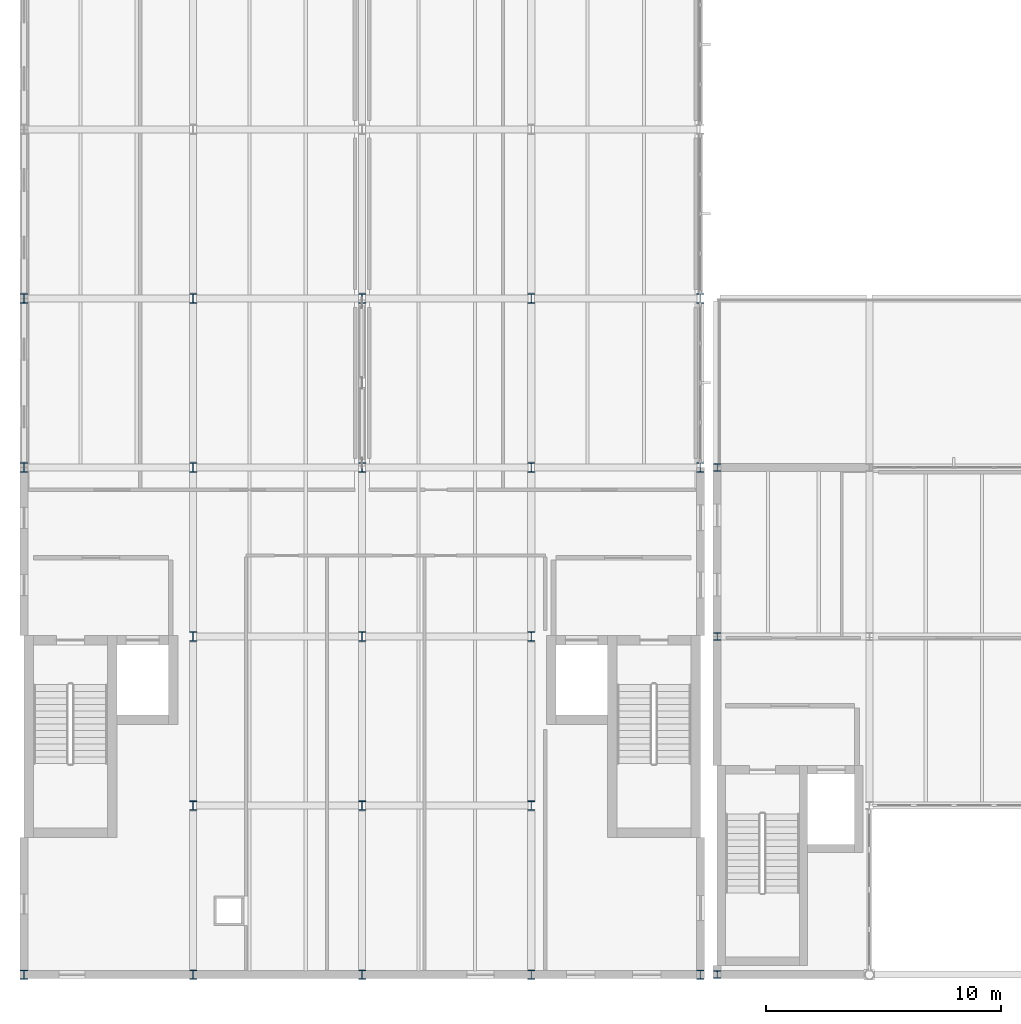
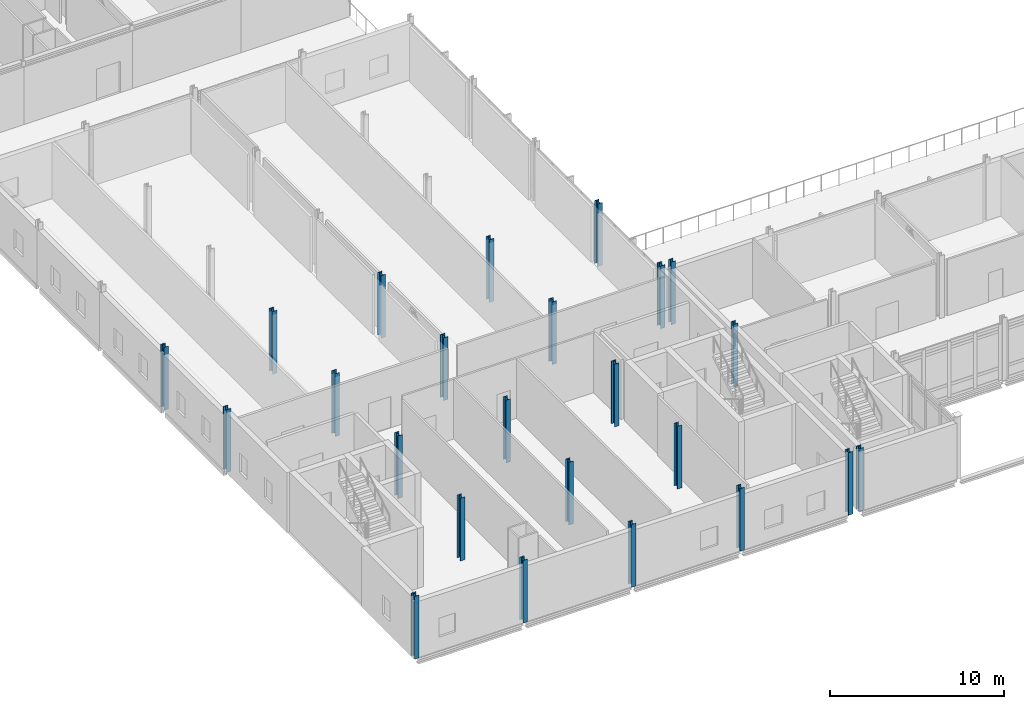
# One storey, part 1 of 53: 24 columns.
"""IFC4 building model written with IfcOpenShell, lengths in metres."""

from ifc_helpers import new_model, si_unit, direction, frame, origin, origin_2d, place, context, subcontext, project, spatial, i_section, extrude, material, material_profile, profile_set, type_object, element, save


model = new_model("IFC4")

# Units and contexts
model_context = context("Model", 3, precision=1e-05, world=origin(), true_north=direction((0.0, 1.0)))
body_context = subcontext(model_context, "Body", "Model", "MODEL_VIEW")
ifc_project = project(units=[si_unit("LENGTHUNIT", "METRE"), si_unit("AREAUNIT", "SQUARE_METRE"), si_unit("VOLUMEUNIT", "CUBIC_METRE"), si_unit("PLANEANGLEUNIT", "RADIAN"), si_unit("MASSUNIT", "GRAM", prefix="KILO")], contexts=[model_context])

# Site, building, storey
site_placement = place(None, origin())
site = spatial("IfcSite", under=ifc_project, at=site_placement, CompositionType="ELEMENT")
building_placement = place(site_placement, origin())
building = spatial("IfcBuilding", under=site, at=building_placement, Name="Zarrinpeak Specialist Clinic", CompositionType="ELEMENT")
storey_placement = place(building_placement, frame((0.0, 0.0, 14.0)))
storey = spatial("IfcBuildingStorey", under=building, at=storey_placement, Name="L03", CompositionType="ELEMENT", Elevation=14.0)

# Columns
ifc_material = material(Name="Steel S355", Category="steel")
ifc_material_profile_1 = material_profile(ifc_material, i_section(OverallWidth=0.300048828125, OverallDepth=0.320068359375, WebThickness=0.011474609375, FlangeThickness=0.0205078125, FilletRadius=0.027099609375, at=origin_2d()), Name="HEB 320")
ifc_profile_set_1 = profile_set([ifc_material_profile_1], Name="Steel S355")
column_type_1 = type_object("IfcColumnType", Name="COL-HEB320", PredefinedType="COLUMN", material=ifc_profile_set_1)
for number, where, z_axis, x_axis, name in (
    (1, (29.52001953125, 0.0, 0.0), (0.0, 0.0, 1.0), (1.0, 0.0, 0.0), "L03 Structural Column COL-L03-060"),
    (2, (29.52001953125, 14.39990234375, 0.0), (0.0, 0.0, 1.0), (1.0, 0.0, 0.0), "L03 Structural Column COL-L03-061"),
    (3, (29.52001953125, 21.60009765625, 0.0), (0.0, 0.0, 1.0), (1.0, 0.0, 0.0), "L03 Structural Column COL-L03-062"),
):
    element("IfcColumn", number, at=place(storey_placement, frame(where, z_axis=z_axis, x_axis=x_axis)), inside=storey, type_object=column_type_1, Name=name, PredefinedType="COLUMN", context=body_context, shape_type="SweptSolid", body=[
        extrude(i_section(OverallWidth=0.300048828125, OverallDepth=0.320068359375, WebThickness=0.011474609375, FlangeThickness=0.0205078125, FilletRadius=0.027099609375, at=origin_2d()), origin(), (0.0, 0.0, 1.0), 4.39990234375),
    ])
ifc_material_profile_2 = material_profile(ifc_material, i_section(OverallWidth=0.300048828125, OverallDepth=0.39990234375, WebThickness=0.013427734375, FlangeThickness=0.02392578125, FilletRadius=0.027099609375, at=origin_2d()), Name="HEB 400")
ifc_profile_set_2 = profile_set([ifc_material_profile_2], Name="Steel S355")
column_type_2 = type_object("IfcColumnType", Name="COL-HEB400", PredefinedType="COLUMN", material=ifc_profile_set_2)
for number, where, z_axis, x_axis, name in (
    (4, (0.0, 0.0, 0.0), (0.0, 0.0, 1.0), (1.0, 0.0, 0.0), "L03 Structural Column COL-L03-001"),
    (5, (0.0, 21.60009765625, 0.0), (0.0, 0.0, 1.0), (1.0, 0.0, 0.0), "L03 Structural Column COL-L03-002"),
    (6, (0.0, 28.800048828125, 0.0), (0.0, 0.0, 1.0), (1.0, 0.0, 0.0), "L03 Structural Column COL-L03-003"),
    (7, (7.199951171875, 0.0, 0.0), (0.0, 0.0, 1.0), (1.0, 0.0, 0.0), "L03 Structural Column COL-L03-011"),
    (8, (7.199951171875, 7.199951171875, 0.0), (0.0, 0.0, 1.0), (1.0, 0.0, 0.0), "L03 Structural Column COL-L03-012"),
    (9, (7.199951171875, 14.39990234375, 0.0), (0.0, 0.0, 1.0), (1.0, 0.0, 0.0), "L03 Structural Column COL-L03-013"),
    (10, (7.199951171875, 21.60009765625, 0.0), (0.0, 0.0, 1.0), (1.0, 0.0, 0.0), "L03 Structural Column COL-L03-014"),
    (11, (7.199951171875, 28.800048828125, 0.0), (0.0, 0.0, 1.0), (1.0, 0.0, 0.0), "L03 Structural Column COL-L03-015"),
    (12, (14.39990234375, 0.0, 0.0), (0.0, 0.0, 1.0), (1.0, 0.0, 0.0), "L03 Structural Column COL-L03-024"),
    (13, (14.39990234375, 7.199951171875, 0.0), (0.0, 0.0, 1.0), (1.0, 0.0, 0.0), "L03 Structural Column COL-L03-025"),
    (14, (14.39990234375, 14.39990234375, 0.0), (0.0, 0.0, 1.0), (1.0, 0.0, 0.0), "L03 Structural Column COL-L03-026"),
    (15, (14.39990234375, 21.60009765625, 0.0), (0.0, 0.0, 1.0), (1.0, 0.0, 0.0), "L03 Structural Column COL-L03-027"),
    (16, (14.39990234375, 28.800048828125, 0.0), (0.0, 0.0, 1.0), (1.0, 0.0, 0.0), "L03 Structural Column COL-L03-028"),
    (17, (21.60009765625, 0.0, 0.0), (0.0, 0.0, 1.0), (1.0, 0.0, 0.0), "L03 Structural Column COL-L03-037"),
    (18, (21.60009765625, 7.199951171875, 0.0), (0.0, 0.0, 1.0), (1.0, 0.0, 0.0), "L03 Structural Column COL-L03-038"),
    (19, (21.60009765625, 14.39990234375, 0.0), (0.0, 0.0, 1.0), (1.0, 0.0, 0.0), "L03 Structural Column COL-L03-039"),
    (20, (21.60009765625, 21.60009765625, 0.0), (0.0, 0.0, 1.0), (1.0, 0.0, 0.0), "L03 Structural Column COL-L03-040"),
    (21, (21.60009765625, 28.800048828125, 0.0), (0.0, 0.0, 1.0), (1.0, 0.0, 0.0), "L03 Structural Column COL-L03-041"),
    (22, (28.800048828125, 0.0, 0.0), (0.0, 0.0, 1.0), (1.0, 0.0, 0.0), "L03 Structural Column COL-L03-050"),
    (23, (28.800048828125, 21.60009765625, 0.0), (0.0, 0.0, 1.0), (1.0, 0.0, 0.0), "L03 Structural Column COL-L03-051"),
    (24, (28.800048828125, 28.800048828125, 0.0), (0.0, 0.0, 1.0), (1.0, 0.0, 0.0), "L03 Structural Column COL-L03-052"),
):
    element("IfcColumn", number, at=place(storey_placement, frame(where, z_axis=z_axis, x_axis=x_axis)), inside=storey, type_object=column_type_2, Name=name, PredefinedType="COLUMN", context=body_context, shape_type="SweptSolid", body=[
        extrude(i_section(OverallWidth=0.300048828125, OverallDepth=0.39990234375, WebThickness=0.013427734375, FlangeThickness=0.02392578125, FilletRadius=0.027099609375, at=origin_2d()), origin(), (0.0, 0.0, 1.0), 4.39990234375),
    ])

save(model, "model.ifc")
